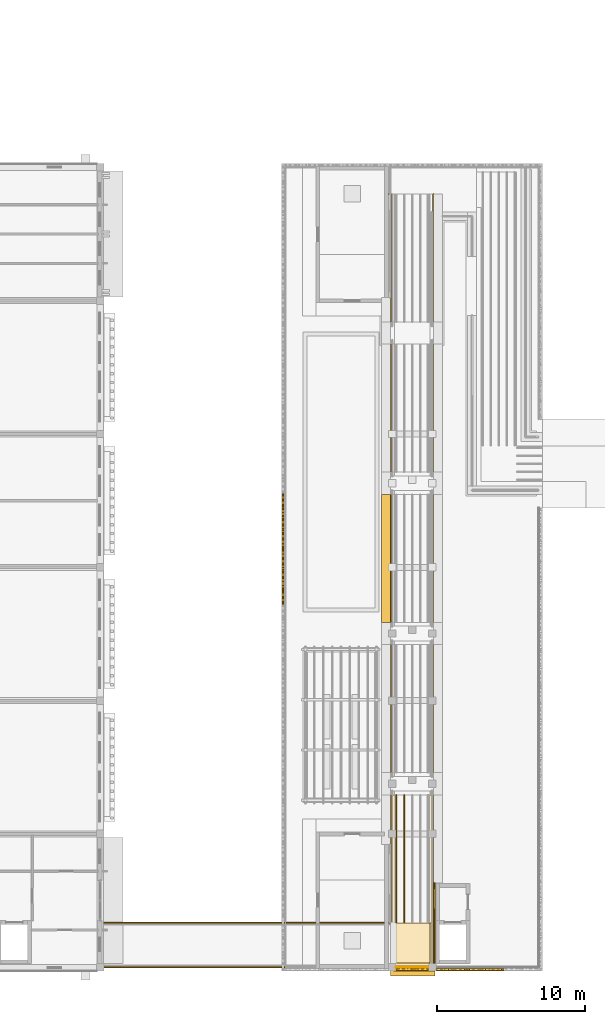
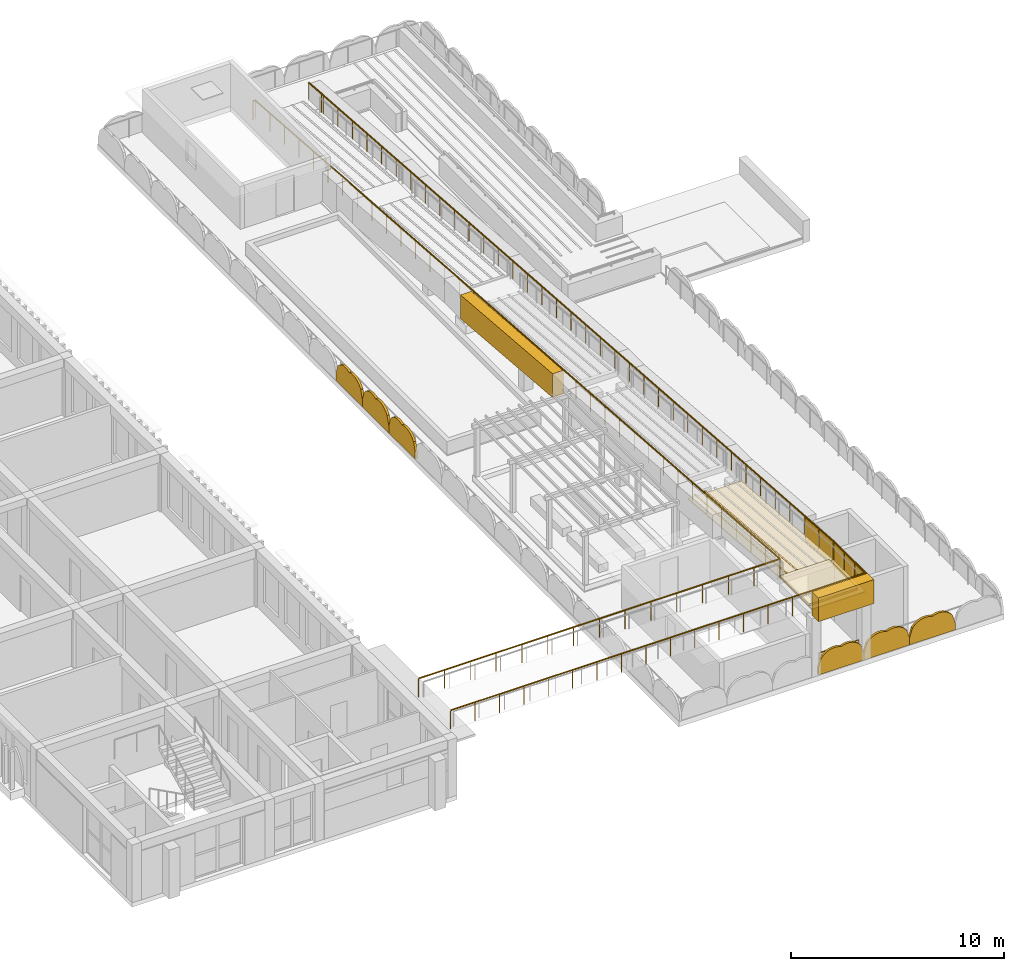
# One storey, part 64 of 70: 9 coverings, 6 shading devices, 3 railings.
"""IFC4 building model written with IfcOpenShell, lengths in metres."""

import ifcopenshell
import ifcopenshell.guid

model = None  # the IFC model being written
_history = None  # IfcOwnerHistory: only IFC2X3 demands one
_inside = {}  # id of a spatial element -> (the spatial element, [elements in it])
_under = {}  # id of a project, library or spatial element -> (it, [spatial elements below it])
_declared = {}  # id of a project -> (the project, [libraries it declares])
_typed = {}  # id of a type object -> (the type object, [elements of that type])
_made_of = {}  # id of a material, layer set ... -> (it, [elements and type objects made of it])


def new_model(schema):
    """Start an empty IFC model of exactly this schema.

    Asked for "IFC4X3", IfcOpenShell would pick the latest addendum, in which some entities
    have other attributes; the version numbers below select the first issue.
    IFC2X3 requires an IfcOwnerHistory on every rooted entity: one is made here for all.
    """
    global model, _history
    if schema == "IFC4X3":
        model = ifcopenshell.file(schema_version=(4, 3, 0, 0))
    else:
        model = ifcopenshell.file(schema=schema)
    _inside.clear()
    _under.clear()
    _declared.clear()
    _typed.clear()
    _made_of.clear()
    _history = None
    if model.schema == "IFC2X3":
        org = make("IfcOrganization", Name="unknown")
        user = make(
            "IfcPersonAndOrganization",
            ThePerson=make("IfcPerson", FamilyName="unknown"),
            TheOrganization=org,
        )
        app = make(
            "IfcApplication",
            ApplicationDeveloper=org,
            Version="unknown",
            ApplicationFullName="unknown",
            ApplicationIdentifier="unknown",
        )
        _history = make(
            "IfcOwnerHistory",
            OwningUser=user,
            OwningApplication=app,
            ChangeAction="ADDED",
            CreationDate=0,
        )
    return model


def make(cls, **values):
    """One entity of the class cls with the attributes given. An attribute that is None is left unset."""
    return model.create_entity(
        cls, **{name: value for name, value in values.items() if value is not None}
    )


def rooted(cls, **values):
    """An entity with a GlobalId (a new one), such as an element, a storey or a relation."""
    return make(cls, GlobalId=ifcopenshell.guid.new(), OwnerHistory=_history, **values)


def si_unit(unit_type, name, prefix=None):
    """IfcSIUnit, for example si_unit("LENGTHUNIT", "METRE", prefix="MILLI")."""
    return make("IfcSIUnit", UnitType=unit_type, Prefix=prefix, Name=name)


def assignment(units):
    """IfcUnitAssignment: the units of a project."""
    return None if units is None else make("IfcUnitAssignment", Units=units)


def point(xyz):
    """IfcCartesianPoint."""
    return None if xyz is None else make("IfcCartesianPoint", Coordinates=xyz)


def direction(xyz):
    """IfcDirection."""
    return None if xyz is None else make("IfcDirection", DirectionRatios=xyz)


def frame(location, z_axis=None, x_axis=None):
    """IfcAxis2Placement3D, a coordinate frame: its origin and axes. An axis left out is left unset."""
    return make(
        "IfcAxis2Placement3D",
        Location=point(location),
        Axis=direction(z_axis),
        RefDirection=direction(x_axis),
    )


def frame_2d(location, x_axis=None):
    """IfcAxis2Placement2D, a coordinate frame in the plane: its origin and x axis."""
    return make(
        "IfcAxis2Placement2D", Location=point(location), RefDirection=direction(x_axis)
    )


def origin():
    """The frame at (0, 0, 0) with its axes left unset."""
    return frame((0.0, 0.0, 0.0))


def origin_2d():
    """The frame at (0, 0) in the plane with its x axis left unset."""
    return frame_2d((0.0, 0.0))


def place(relative_to, where):
    """IfcLocalPlacement: puts the frame where relative to a parent placement (None: the world)."""
    return make(
        "IfcLocalPlacement", PlacementRelTo=relative_to, RelativePlacement=where
    )


def context(
    kind, dimensions, precision=None, world=None, true_north=None, identifier=None
):
    """IfcGeometricRepresentationContext, for example the 3D "Model" context."""
    return make(
        "IfcGeometricRepresentationContext",
        ContextIdentifier=identifier,
        ContextType=kind,
        CoordinateSpaceDimension=dimensions,
        Precision=precision,
        WorldCoordinateSystem=world,
        TrueNorth=true_north,
    )


def subcontext(parent, identifier, kind, view, scale=None):
    """IfcGeometricRepresentationSubContext, for example "Body" below "Model"."""
    return make(
        "IfcGeometricRepresentationSubContext",
        ContextIdentifier=identifier,
        ContextType=kind,
        ParentContext=parent,
        TargetScale=scale,
        TargetView=view,
    )


def project(units=None, contexts=None):
    """IfcProject with its units and contexts."""
    return rooted(
        "IfcProject",
        Name="project",
        RepresentationContexts=contexts,
        UnitsInContext=assignment(units),
    )


def spatial(cls, under=None, at=None, **own):
    """A site, building, storey or space (cls), placed at a placement, below another one or the project."""
    s = rooted(cls, ObjectPlacement=at, **own)
    if under is not None:
        _under.setdefault(under.id(), (under, []))[1].append(s)
    return s


def polyline(points):
    """IfcPolyline through the points."""
    return make("IfcPolyline", Points=[point(p) for p in points])


def profile(cls, at=None, kind="AREA", **sizes):
    """A parametric profile (cls). Its sizes go by their IFC names, for example OverallWidth=200.0."""
    return make(cls, ProfileType=kind, Position=at, **sizes)


def circle(**sizes):
    """IfcCircleProfileDef."""
    return profile("IfcCircleProfileDef", **sizes)


def outline(outer, holes=None, kind="AREA"):
    """IfcArbitraryClosedProfileDef: a profile drawn as a closed curve; with holes, ...WithVoids."""
    if holes is None:
        return make("IfcArbitraryClosedProfileDef", ProfileType=kind, OuterCurve=outer)
    return make(
        "IfcArbitraryProfileDefWithVoids",
        ProfileType=kind,
        OuterCurve=outer,
        InnerCurves=holes,
    )


def extrude(swept, where, along, depth):
    """IfcExtrudedAreaSolid: the profile swept, set in the frame where, extruded along a direction by depth."""
    return make(
        "IfcExtrudedAreaSolid",
        SweptArea=swept,
        Position=where,
        ExtrudedDirection=direction(along),
        Depth=depth,
    )


def shape(context_of_items, identifier, shape_type, items):
    """IfcShapeRepresentation: the items that make up one representation, for example the "Body"."""
    return make(
        "IfcShapeRepresentation",
        ContextOfItems=context_of_items,
        RepresentationIdentifier=identifier,
        RepresentationType=shape_type,
        Items=items,
    )


def material(Name=None, Category=None):
    """IfcMaterial."""
    return make("IfcMaterial", Name=Name, Category=Category)


def layer(
    of_material, thickness, ventilated=None, Name=None, Category=None, Priority=None
):
    """IfcMaterialLayer: one layer of a wall or slab, of a material (None: an air gap)."""
    return make(
        "IfcMaterialLayer",
        Material=of_material,
        LayerThickness=thickness,
        IsVentilated=ventilated,
        Name=Name,
        Category=Category,
        Priority=Priority,
    )


def layer_set(layers, Name=None):
    """IfcMaterialLayerSet."""
    return make("IfcMaterialLayerSet", MaterialLayers=layers, LayerSetName=Name)


def made_of(thing, what):
    """Note that an element or type object is made of a material, layer set ...; save() writes the relation."""
    if what is not None:
        _made_of.setdefault(what.id(), (what, []))[1].append(thing)
    return thing


def type_object(cls, material=None, **own):
    """A type object (cls), such as IfcWallType, which elements share."""
    return made_of(rooted(cls, **own), material)


def element(
    cls,
    number,
    at=None,
    inside=None,
    cuts=None,
    type_object=None,
    material=None,
    context=None,
    identifier="Body",
    shape_type=None,
    held_by="IfcProductDefinitionShape",
    body=None,
    shapes=None,
    **own,
):
    """One element of the class cls, such as IfcWall. Its Tag is "e" and its number.

    at: its placement. inside: the storey or other place that contains it. cuts: it is an
    opening in that element (IfcRelVoidsElement). A single representation is given by context,
    identifier, shape_type and body (its items); several are given by shapes. held_by: the class
    of the entity that holds the representations. save() writes the other relations.
    """
    e = rooted(cls, Tag="e%d" % number, ObjectPlacement=at, **own)
    if body is not None:
        shapes = [shape(context, identifier, shape_type, body)]
    if shapes is not None:
        e.Representation = make(held_by, Representations=shapes)
    if inside is not None:
        _inside.setdefault(inside.id(), (inside, []))[1].append(e)
    if cuts is not None:
        rooted(
            "IfcRelVoidsElement", RelatingBuildingElement=cuts, RelatedOpeningElement=e
        )
    if type_object is not None:
        _typed.setdefault(type_object.id(), (type_object, []))[1].append(e)
    return made_of(e, material)


def aggregate(whole, parts):
    """IfcRelAggregates: a whole, such as a stair, and the parts it consists of."""
    return rooted("IfcRelAggregates", RelatingObject=whole, RelatedObjects=parts)


def save(model, path):
    """Write the relations noted so far, then the file.

    IfcRelAggregates (storeys below a building ...), IfcRelContainedInSpatialStructure (elements
    in a storey), IfcRelDefinesByType, IfcRelAssociatesMaterial and IfcRelDeclares: one each for
    every whole, place, type object, material and project.
    """
    for whole, parts in _under.values():
        aggregate(whole, parts)
    for where, things in _inside.values():
        rooted(
            "IfcRelContainedInSpatialStructure",
            RelatedElements=things,
            RelatingStructure=where,
        )
    for kind, things in _typed.values():
        rooted("IfcRelDefinesByType", RelatedObjects=things, RelatingType=kind)
    for what, things in _made_of.values():
        rooted("IfcRelAssociatesMaterial", RelatedObjects=things, RelatingMaterial=what)
    for by, libraries in _declared.values():
        rooted("IfcRelDeclares", RelatingContext=by, RelatedDefinitions=libraries)
    model.write(path)


model = new_model("IFC4")

# Units and contexts
model_context = context("Model", 3, precision=1e-05, world=origin(), true_north=direction((0.0, 1.0)))
body_context = subcontext(model_context, "Body", "Model", "MODEL_VIEW")
ifc_project = project(units=[si_unit("LENGTHUNIT", "METRE"), si_unit("AREAUNIT", "SQUARE_METRE"), si_unit("VOLUMEUNIT", "CUBIC_METRE"), si_unit("PLANEANGLEUNIT", "RADIAN"), si_unit("MASSUNIT", "GRAM", prefix="KILO")], contexts=[model_context])

# Site, building, storey
site_placement = place(None, origin())
site = spatial("IfcSite", under=ifc_project, at=site_placement, CompositionType="ELEMENT")
building_placement = place(site_placement, origin())
building = spatial("IfcBuilding", under=site, at=building_placement, Name="Elbe Cascade School", CompositionType="ELEMENT")
storey_placement = place(building_placement, frame((0.0, 0.0, 8.10009765625)))
storey = spatial("IfcBuildingStorey", under=building, at=storey_placement, Name="L02", CompositionType="ELEMENT", Elevation=8.10009765625)

# Shading devices
ifc_material_1 = material(Name="Precast concrete C40/50", Category="concrete")
ifc_layer_1 = layer(ifc_material_1, 0.1201171875)
ifc_layer_set_1 = layer_set([ifc_layer_1], Name="Precast concrete C40/50")
shading_device_type = type_object("IfcShadingDeviceType", Name="Bars envelope Attic jali screen, pointed arch top, pierced precast concrete, 1200 high", PredefinedType="USERDEFINED", material=ifc_layer_set_1)
shading_device_1_placement = place(storey_placement, frame((157.580078125, 30.522705078125, 0.39990234375), z_axis=(-1.0, 0.0, 0.0), x_axis=(0.0, 0.296914729778, 0.954903996871)))
element("IfcShadingDevice", 1, at=shading_device_1_placement, inside=storey, type_object=shading_device_type, Name="Attic jali screen SD1 D.L02.w11", ObjectType="JALI", PredefinedType="USERDEFINED", context=body_context, shape_type="SweptSolid", body=[
    extrude(outline(polyline([(0.0, 0.0), (0.5213118135497831, 2.7755575615628914e-17), (0.7310001580840946, 0.09715085393298623), (0.8774375509870718, 0.2137130818339548), (0.9849420905019789, 0.3423809640007578), (1.0621396183974305, 0.48047240936850977), (1.1125270975525943, 0.6269000837217165), (1.1363376588260814, 0.7815914981126785), (1.1317787442967022, 0.9453596949816039), (1.2283261334568831, 1.0774345576902884), (1.296431557866498, 1.218353072018325), (1.3379600643944363, 1.3675353263841168), (1.3526785221820867, 1.5250538097353636), (1.3370899683502817, 1.6919958562875592), (1.2825685611304065, 1.8710435571055892), (1.1649411801745964, 2.069968893608824), (0.7355453523079154, 2.365578822327823), (0.3536770059027736, 2.4843157186597797), (-0.3818683464051418, 0.11873689633195678), (0.0, 0.0)])), origin(), (0.0, 0.0, -1.0), 0.1201171875),
])
shading_device_2_placement = place(storey_placement, frame((157.580078125, 33.0, 0.39990234375), z_axis=(-1.0, 0.0, 0.0), x_axis=(0.0, 0.296914729778, 0.954903996871)))
element("IfcShadingDevice", 2, at=shading_device_2_placement, inside=storey, type_object=shading_device_type, Name="Attic jali screen SD1 D.L02.w12", ObjectType="JALI", PredefinedType="USERDEFINED", context=body_context, shape_type="SweptSolid", body=[
    extrude(outline(polyline([(0.0, 0.0), (0.5213118135497831, 2.7755575615628914e-17), (0.7310001580840946, 0.09715085393298623), (0.8774375509870718, 0.2137130818339548), (0.9849420905019789, 0.3423809640007578), (1.0621396183974305, 0.48047240936850977), (1.1125270975525943, 0.6269000837217165), (1.1363376588260814, 0.7815914981126785), (1.1317062553490027, 0.9451265641229927), (1.2283261334568831, 1.0774345576902884), (1.296431557866498, 1.218353072018325), (1.3379600643944363, 1.3675353263841168), (1.3526785221820867, 1.5250538097353636), (1.3370899683502817, 1.6919958562875592), (1.2825685611304065, 1.8710435571055892), (1.1649411801745964, 2.069968893608824), (0.7355453523079154, 2.365578822327823), (0.3536770059027736, 2.4843157186597797), (-0.3818683464051418, 0.11873689633195678), (0.0, 0.0)])), origin(), (0.0, 0.0, -1.0), 0.1201171875),
])
shading_device_3_placement = place(storey_placement, frame((157.580078125, 35.477294921875, 0.39990234375), z_axis=(-1.0, 0.0, 0.0), x_axis=(0.0, 0.296914729778, 0.954903996871)))
element("IfcShadingDevice", 3, at=shading_device_3_placement, inside=storey, type_object=shading_device_type, Name="Attic jali screen SD1 D.L02.w13", ObjectType="JALI", PredefinedType="USERDEFINED", context=body_context, shape_type="SweptSolid", body=[
    extrude(outline(polyline([(0.0, 0.0), (0.5213118135497831, 2.7755575615628914e-17), (0.730927669136395, 0.09691772307437502), (0.8774375509870718, 0.2137130818339548), (0.9849420905019789, 0.3423809640007578), (1.0621396183974305, 0.48047240936850977), (1.1125270975525943, 0.6269000837217165), (1.1363376588260814, 0.7815914981126785), (1.1317062553490027, 0.9451265641229927), (1.2282536445091836, 1.0772014268316772), (1.296431557866498, 1.218353072018325), (1.3379600643944363, 1.3675353263841168), (1.3526785221820867, 1.5250538097353636), (1.3370899683502817, 1.6919958562875592), (1.282641050078106, 1.8712766879642004), (1.1649411801745964, 2.069968893608824), (0.7355453523079154, 2.365578822327823), (0.3536770059027736, 2.4843157186597797), (-0.3818683464051418, 0.11873689633195678), (0.0, 0.0)])), origin(), (0.0, 0.0, -1.0), 0.1201171875),
])
shading_device_4_placement = place(storey_placement, frame((165.1142578125, 5.780029296875, 0.0), z_axis=(0.0, -1.0, 0.0), x_axis=(1.0, 0.0, 0.0)))
element("IfcShadingDevice", 4, at=shading_device_4_placement, inside=storey, type_object=shading_device_type, Name="Attic jali screen SD1 D.L02.s4", ObjectType="JALI", PredefinedType="USERDEFINED", context=body_context, shape_type="SweptSolid", body=[
    extrude(outline(polyline([(0.0, 0.0), (2.471435546875, 0.0), (2.471435546875, 0.39990234375), (2.317138671875, 0.89697265625), (2.16259765625, 1.068115234375), (2.008056640625, 1.173095703125), (1.853759765625, 1.237548828125), (1.69921875, 1.2705078125), (1.544677734375, 1.275390625), (1.39013671875, 1.252685546875), (1.23583984375, 1.199951171875), (1.081298828125, 1.252685546875), (0.9267578125, 1.275390625), (0.7724609375, 1.2705078125), (0.617919921875, 1.237548828125), (0.46337890625, 1.173095703125), (0.308837890625, 1.068115234375), (0.154541015625, 0.89697265625), (0.0, 0.39990234375), (0.0, 0.0)])), origin(), (0.0, 0.0, -1.0), 0.1201171875),
])
shading_device_5_placement = place(storey_placement, frame((167.585693359375, 5.780029296875, 0.0), z_axis=(0.0, -1.0, 0.0), x_axis=(1.0, 0.0, 0.0)))
element("IfcShadingDevice", 5, at=shading_device_5_placement, inside=storey, type_object=shading_device_type, Name="Attic jali screen SD1 D.L02.s5", ObjectType="JALI", PredefinedType="USERDEFINED", context=body_context, shape_type="SweptSolid", body=[
    extrude(outline(polyline([(0.0, 0.0), (2.471435546875, 0.0), (2.471435546875, 0.39990234375), (2.31689453125, 0.89697265625), (2.16259765625, 1.068115234375), (2.008056640625, 1.173095703125), (1.853515625, 1.237548828125), (1.69921875, 1.2705078125), (1.544677734375, 1.275390625), (1.39013671875, 1.252685546875), (1.235595703125, 1.199951171875), (1.081298828125, 1.252685546875), (0.9267578125, 1.275390625), (0.772216796875, 1.2705078125), (0.617919921875, 1.237548828125), (0.46337890625, 1.173095703125), (0.308837890625, 1.068115234375), (0.154541015625, 0.89697265625), (0.0, 0.39990234375), (0.0, 0.0)])), origin(), (0.0, 0.0, -1.0), 0.1201171875),
])
shading_device_6_placement = place(storey_placement, frame((170.05712890625, 5.780029296875, 0.0), z_axis=(0.0, -1.0, 0.0), x_axis=(1.0, 0.0, 0.0)))
element("IfcShadingDevice", 6, at=shading_device_6_placement, inside=storey, type_object=shading_device_type, Name="Attic jali screen SD1 D.L02.s6", ObjectType="JALI", PredefinedType="USERDEFINED", context=body_context, shape_type="SweptSolid", body=[
    extrude(outline(polyline([(0.0, 0.0), (2.471435546875, 0.0), (2.471435546875, 0.39990234375), (2.31689453125, 0.89697265625), (2.162353515625, 1.068115234375), (2.008056640625, 1.173095703125), (1.853515625, 1.237548828125), (1.698974609375, 1.2705078125), (1.544677734375, 1.275390625), (1.39013671875, 1.252685546875), (1.23583984375, 1.199951171875), (1.081298828125, 1.252685546875), (0.9267578125, 1.275390625), (0.7724609375, 1.2705078125), (0.617919921875, 1.237548828125), (0.46337890625, 1.173095703125), (0.30908203125, 1.068115234375), (0.154541015625, 0.89697265625), (0.0, 0.39990234375), (0.0, 0.0)])), origin(), (0.0, 0.0, -1.0), 0.1201171875),
])

# Railing
ifc_material_2 = material(Name="Steel S355J2H, hot-dip galvanised", Category="steel")
railing_type_1 = type_object("IfcRailingType", Name="Bars envelope Roof edge guard 1100, galvanised steel", PredefinedType="GUARDRAIL", material=ifc_material_2)
railing_1_placement = place(storey_placement, frame((165.27099609375, 6.0, 0.0)))
element("IfcRailing", 7, at=railing_1_placement, inside=storey, type_object=railing_type_1, Name="Roof edge guard RL10 D.L02.1", PredefinedType="GUARDRAIL", context=body_context, shape_type="SweptSolid", body=[
    extrude(circle(Radius=0.02392578125, at=origin_2d()), frame((0.0, 0.0, 1.076171875), z_axis=(1.0, 0.0, 0.0), x_axis=(0.0, 1.0, 0.0)), (0.0, 0.0, 1.0), 2.157958984375),
    extrude(circle(Radius=0.02099609375, at=origin_2d()), origin(), (0.0, 0.0, 1.0), 1.052001953125),
    extrude(circle(Radius=0.02099609375, at=origin_2d()), frame((1.0791015625, 0.0, 0.0)), (0.0, 0.0, 1.0), 1.052001953125),
    extrude(circle(Radius=0.02099609375, at=origin_2d()), frame((2.157958984375, 0.0, 0.0)), (0.0, 0.0, 1.0), 1.052001953125),
])

# Coverings
ifc_material_3 = material(Name="Running track surfacing - white lines", Category="surfacing")
ifc_layer_2 = layer(ifc_material_3, 0.02001953125)
ifc_layer_set_2 = layer_set([ifc_layer_2], Name="Running track surfacing - white lines")
covering_type_1 = type_object("IfcCoveringType", Name="Lane marking 80", PredefinedType="FLOORING", material=ifc_layer_set_2)
for number, where, z_axis, x_axis, name in (
    (8, (165.22998046875, 9.0, 3.83984375), (0.0, 0.08304314939, 0.996545952447), (0.0, 0.996545952447, -0.08304314939), "Lane marking D ramp flight 1 line 1"),
    (9, (165.77001953125, 9.0, 3.83984375), (0.0, 0.08304314939, 0.996545952447), (0.0, 0.996545952447, -0.08304314939), "Lane marking D ramp flight 1 line 2"),
):
    element("IfcCovering", number, at=place(storey_placement, frame(where, z_axis=z_axis, x_axis=x_axis)), inside=storey, type_object=covering_type_1, Name=name, PredefinedType="FLOORING", context=body_context, shape_type="SweptSolid", body=[
        extrude(outline(polyline([(0.0, 0.0), (8.669838612967244, 0.0), (8.669838612967244, -0.08007812500000001), (0.0, -0.08007812500000001), (0.0, 0.0)])), origin(), (0.08304314939, 0.0, -0.996545952447), 0.02001953125),
    ])
ifc_material_4 = material(Name="Concrete C30/37 precast parapet", Category="concrete")
ifc_layer_3 = layer(ifc_material_4, 0.60009765625)
ifc_layer_set_3 = layer_set([ifc_layer_3], Name="Concrete C30/37 precast parapet")
covering_type_2 = type_object("IfcCoveringType", Name="Ramp and bridge parapet 600", PredefinedType="CLADDING", material=ifc_layer_set_3)
covering_1_placement = place(storey_placement, frame((164.300048828125, 29.280029296875, 3.27978515625), z_axis=(0.0, 0.08304314939, 0.996545952447), x_axis=(0.0, 0.996545952447, -0.08304314939)))
element("IfcCovering", 10, at=covering_1_placement, inside=storey, type_object=covering_type_2, Name="Ramp D flight 3 parapet w1", PredefinedType="CLADDING", context=body_context, shape_type="SweptSolid", body=[
    extrude(outline(polyline([(0.0, 0.0), (8.669838612967244, 0.0), (8.669838612967244, -0.599853515625), (0.0, -0.599853515625), (0.0, 0.0)])), origin(), (0.08304314939, 0.0, -0.996545952447), 1.360107421875),
])
covering_2_placement = place(storey_placement, frame((0.0, 0.0, 3.35986328125)))
element("IfcCovering", 11, at=covering_2_placement, inside=storey, type_object=covering_type_2, Name="Ramp D landing 1 parapet south", PredefinedType="CLADDING", context=body_context, shape_type="SweptSolid", body=[
    extrude(outline(polyline([(164.89990234375, 5.39990234375), (167.89990234375, 5.39990234375), (167.89990234375, 6.0), (164.89990234375, 6.0), (164.89990234375, 5.39990234375)])), origin(), (0.0, 0.0, 1.0), 1.360107421875),
])
ifc_material_5 = material(Name="Concrete C30/37 precast parapet", Category="concrete")
ifc_layer_4 = layer(ifc_material_5, 0.10009765625)
ifc_layer_set_4 = layer_set([ifc_layer_4], Name="Concrete C30/37 precast parapet")
covering_type_3 = type_object("IfcCoveringType", Name="Ramp parapet beside a wall 100", PredefinedType="CLADDING", material=ifc_layer_set_4)
covering_3_placement = place(storey_placement, frame((0.0, 0.0, 3.35986328125)))
element("IfcCovering", 12, at=covering_3_placement, inside=storey, type_object=covering_type_3, Name="Ramp D landing 1 parapet e1", PredefinedType="CLADDING", context=body_context, shape_type="SweptSolid", body=[
    extrude(outline(polyline([(167.800048828125, 6.0), (167.89990234375, 6.0), (167.89990234375, 9.0), (167.800048828125, 9.0), (167.800048828125, 6.0)])), origin(), (0.0, 0.0, 1.0), 1.360107421875),
])
covering_4_placement = place(storey_placement, frame((167.800048828125, 9.0, 4.719970703125), z_axis=(0.0, 0.083082767297, 0.996542650256), x_axis=(0.0, 0.996542650256, -0.083082767297)))
element("IfcCovering", 13, at=covering_4_placement, inside=storey, type_object=covering_type_3, Name="Ramp D flight 1 parapet e1", PredefinedType="CLADDING", context=body_context, shape_type="SweptSolid", body=[
    extrude(outline(polyline([(0.0, 0.0), (2.7093182325740974, 0.0), (2.7093182325740974, -0.099853515625), (0.0, -0.099853515625), (0.0, 0.0)])), origin(), (0.083082767297, 0.0, -0.996542650256), 1.360107421875),
])
ifc_material_6 = material(Name="Running track surfacing - red", Category="surfacing")
ifc_layer_5 = layer(ifc_material_6, 0.10009765625)
ifc_layer_set_5 = layer_set([ifc_layer_5], Name="Running track surfacing - red")
covering_type_4 = type_object("IfcCoveringType", Name="Running track band 100", PredefinedType="USERDEFINED", material=ifc_layer_set_5)
covering_5_placement = place(storey_placement, frame((0.0, 0.0, 3.719970703125)))
element("IfcCovering", 14, at=covering_5_placement, inside=storey, type_object=covering_type_4, Name="Running track band D ramp landing 1", ObjectType="RUNNING TRACK", PredefinedType="USERDEFINED", context=body_context, shape_type="SweptSolid", body=[
    extrude(outline(polyline([(167.550048828125, 6.300048828125), (165.14990234375, 6.300048828125), (164.89990234375, 6.300048828125), (164.89990234375, 9.0), (165.14990234375, 9.0), (167.550048828125, 9.0), (167.550048828125, 6.300048828125)])), origin(), (0.0, 0.0, 1.0), 0.099853515625),
])
ifc_material_7 = material(Name="Running track surfacing - red", Category="surfacing")
ifc_layer_6 = layer(ifc_material_7, 0.06005859375)
ifc_layer_set_6 = layer_set([ifc_layer_6], Name="Running track surfacing - red")
covering_type_5 = type_object("IfcCoveringType", Name="Running track surfacing 60", PredefinedType="USERDEFINED", material=ifc_layer_set_6)
covering_6_placement = place(storey_placement, frame((0.0, 0.0, 3.659912109375)))
element("IfcCovering", 15, at=covering_6_placement, inside=storey, type_object=covering_type_5, Name="Running track D ramp landing 1", ObjectType="RUNNING TRACK", PredefinedType="USERDEFINED", context=body_context, shape_type="SweptSolid", body=[
    extrude(outline(polyline([(167.800048828125, 6.0), (167.800048828125, 9.0), (164.89990234375, 9.0), (164.89990234375, 6.0), (167.800048828125, 6.0)])), origin(), (0.0, 0.0, 1.0), 0.06005859375),
])
covering_7_placement = place(storey_placement, frame((164.89990234375, 9.0, 3.719970703125), z_axis=(0.0, 0.08304314939, 0.996545952447), x_axis=(0.0, 0.996545952447, -0.08304314939)))
element("IfcCovering", 16, at=covering_7_placement, inside=storey, type_object=covering_type_5, Name="Running track D ramp flight 1", ObjectType="RUNNING TRACK", PredefinedType="USERDEFINED", context=body_context, shape_type="SweptSolid", body=[
    extrude(outline(polyline([(0.0, 0.0), (8.669838612967244, 0.0), (8.669838612967244, -2.900146484375), (0.0, -2.900146484375), (0.0, 0.0)])), origin(), (0.08304314939, 0.0, -0.996545952447), 0.06005859375),
])

# Railings
ifc_material_8 = material(Name="Steel S355J2H", Category="steel")
railing_type_2 = type_object("IfcRailingType", Name="Track guard 1100", PredefinedType="GUARDRAIL", material=ifc_material_8)
railing_2_placement = place(storey_placement, frame((145.342041015625, 6.0, 3.719970703125)))
element("IfcRailing", 17, at=railing_2_placement, inside=storey, type_object=railing_type_2, Name="Track guard RL4 C-D south and east", PredefinedType="GUARDRAIL", context=body_context, shape_type="SweptSolid", body=[
    extrude(circle(Radius=0.0400390625, at=origin_2d()), frame((0.0, 0.0, 1.06005859375), z_axis=(1.0, 0.0, 0.0), x_axis=(0.0, 1.0, 0.0)), (0.0, 0.0, 1.0), 22.4580078125),
    extrude(circle(Radius=0.0400390625, at=origin_2d()), frame((22.4580078125, 0.0, 1.06005859375), z_axis=(0.0, 1.0, 0.0), x_axis=(-1.0, 0.0, 0.0)), (0.0, 0.0, 1.0), 3.0),
    extrude(circle(Radius=0.0400390625, at=origin_2d()), frame((22.4580078125, 3.0, 1.06005859375), z_axis=(0.0, 0.997333574242, -0.0729776794), x_axis=(-1.0, 0.0, 0.0)), (0.0, 0.0, 1.0), 49.33154296875),
    extrude(circle(Radius=0.0400390625, at=origin_2d()), frame((22.4580078125, 52.199951171875, -2.5400390625), z_axis=(0.0, -0.996538763176, 0.083129378007), x_axis=(1.0, 0.0, 0.0)), (0.0, 0.0, 1.0), 1.2041015625),
    extrude(circle(Radius=0.02099609375, at=origin_2d()), origin(), (0.0, 0.0, 1.0), 1.02001953125),
    extrude(circle(Radius=0.02099609375, at=origin_2d()), frame((1.321044921875, 0.0, 0.0)), (0.0, 0.0, 1.0), 1.02001953125),
    extrude(circle(Radius=0.02099609375, at=origin_2d()), frame((2.64208984375, 0.0, 0.0)), (0.0, 0.0, 1.0), 1.02001953125),
    extrude(circle(Radius=0.02099609375, at=origin_2d()), frame((3.963134765625, 0.0, 0.0)), (0.0, 0.0, 1.0), 1.02001953125),
    extrude(circle(Radius=0.02099609375, at=origin_2d()), frame((5.2841796875, 0.0, 0.0)), (0.0, 0.0, 1.0), 1.02001953125),
    extrude(circle(Radius=0.02099609375, at=origin_2d()), frame((6.605224609375, 0.0, 0.0)), (0.0, 0.0, 1.0), 1.02001953125),
    extrude(circle(Radius=0.02099609375, at=origin_2d()), frame((7.92626953125, 0.0, 0.0)), (0.0, 0.0, 1.0), 1.02001953125),
    extrude(circle(Radius=0.02099609375, at=origin_2d()), frame((9.247314453125, 0.0, 0.0)), (0.0, 0.0, 1.0), 1.02001953125),
    extrude(circle(Radius=0.02099609375, at=origin_2d()), frame((10.568359375, 0.0, 0.0)), (0.0, 0.0, 1.0), 1.02001953125),
    extrude(circle(Radius=0.02099609375, at=origin_2d()), frame((11.8896484375, 0.0, 0.0)), (0.0, 0.0, 1.0), 1.02001953125),
    extrude(circle(Radius=0.02099609375, at=origin_2d()), frame((13.210693359375, 0.0, 0.0)), (0.0, 0.0, 1.0), 1.02001953125),
    extrude(circle(Radius=0.02099609375, at=origin_2d()), frame((14.53173828125, 0.0, 0.0)), (0.0, 0.0, 1.0), 1.02001953125),
    extrude(circle(Radius=0.02099609375, at=origin_2d()), frame((15.852783203125, 0.0, 0.0)), (0.0, 0.0, 1.0), 1.02001953125),
    extrude(circle(Radius=0.02099609375, at=origin_2d()), frame((17.173828125, 0.0, 0.0)), (0.0, 0.0, 1.0), 1.02001953125),
    extrude(circle(Radius=0.02099609375, at=origin_2d()), frame((18.494873046875, 0.0, 0.0)), (0.0, 0.0, 1.0), 1.02001953125),
    extrude(circle(Radius=0.02099609375, at=origin_2d()), frame((19.81591796875, 0.0, 0.0)), (0.0, 0.0, 1.0), 1.02001953125),
    extrude(circle(Radius=0.02099609375, at=origin_2d()), frame((21.136962890625, 0.0, 0.0)), (0.0, 0.0, 1.0), 1.02001953125),
    extrude(circle(Radius=0.02099609375, at=origin_2d()), frame((22.4580078125, 0.0, 0.0)), (0.0, 0.0, 1.0), 1.02001953125),
    extrude(circle(Radius=0.02099609375, at=origin_2d()), frame((22.4580078125, 1.0, 0.0)), (0.0, 0.0, 1.0), 1.02001953125),
    extrude(circle(Radius=0.02099609375, at=origin_2d()), frame((22.4580078125, 2.0, 0.0)), (0.0, 0.0, 1.0), 1.02001953125),
    extrude(circle(Radius=0.02099609375, at=origin_2d()), frame((22.4580078125, 3.0, 0.0)), (0.0, 0.0, 1.0), 1.02001953125),
    extrude(circle(Radius=0.02099609375, at=origin_2d()), frame((22.4580078125, 4.36669921875, -0.10009765625)), (0.0, 0.0, 1.0), 1.02001953125),
    extrude(circle(Radius=0.02099609375, at=origin_2d()), frame((22.4580078125, 5.7333984375, -0.199951171875)), (0.0, 0.0, 1.0), 1.02001953125),
    extrude(circle(Radius=0.02099609375, at=origin_2d()), frame((22.4580078125, 7.10009765625, -0.300048828125)), (0.0, 0.0, 1.0), 1.02001953125),
    extrude(circle(Radius=0.02099609375, at=origin_2d()), frame((22.4580078125, 8.466552734375, -0.39990234375)), (0.0, 0.0, 1.0), 1.02001953125),
    extrude(circle(Radius=0.02099609375, at=origin_2d()), frame((22.4580078125, 9.833251953125, -0.5)), (0.0, 0.0, 1.0), 1.02001953125),
    extrude(circle(Radius=0.02099609375, at=origin_2d()), frame((22.4580078125, 11.199951171875, -0.60009765625)), (0.0, 0.0, 1.0), 1.02001953125),
    extrude(circle(Radius=0.02099609375, at=origin_2d()), frame((22.4580078125, 12.566650390625, -0.699951171875)), (0.0, 0.0, 1.0), 1.02001953125),
    extrude(circle(Radius=0.02099609375, at=origin_2d()), frame((22.4580078125, 13.933349609375, -0.800048828125)), (0.0, 0.0, 1.0), 1.02001953125),
    extrude(circle(Radius=0.02099609375, at=origin_2d()), frame((22.4580078125, 15.300048828125, -0.89990234375)), (0.0, 0.0, 1.0), 1.02001953125),
    extrude(circle(Radius=0.02099609375, at=origin_2d()), frame((22.4580078125, 16.666748046875, -1.0)), (0.0, 0.0, 1.0), 1.02001953125),
    extrude(circle(Radius=0.02099609375, at=origin_2d()), frame((22.4580078125, 18.033203125, -1.10009765625)), (0.0, 0.0, 1.0), 1.02001953125),
    extrude(circle(Radius=0.02099609375, at=origin_2d()), frame((22.4580078125, 19.39990234375, -1.199951171875)), (0.0, 0.0, 1.0), 1.02001953125),
    extrude(circle(Radius=0.02099609375, at=origin_2d()), frame((22.4580078125, 20.7666015625, -1.300048828125)), (0.0, 0.0, 1.0), 1.02001953125),
    extrude(circle(Radius=0.02099609375, at=origin_2d()), frame((22.4580078125, 22.13330078125, -1.400146484375)), (0.0, 0.0, 1.0), 1.02001953125),
    extrude(circle(Radius=0.02099609375, at=origin_2d()), frame((22.4580078125, 23.5, -1.5)), (0.0, 0.0, 1.0), 1.02001953125),
    extrude(circle(Radius=0.02099609375, at=origin_2d()), frame((22.4580078125, 24.86669921875, -1.60009765625)), (0.0, 0.0, 1.0), 1.02001953125),
    extrude(circle(Radius=0.02099609375, at=origin_2d()), frame((22.4580078125, 26.2333984375, -1.699951171875)), (0.0, 0.0, 1.0), 1.02001953125),
    extrude(circle(Radius=0.02099609375, at=origin_2d()), frame((22.4580078125, 27.60009765625, -1.800048828125)), (0.0, 0.0, 1.0), 1.02001953125),
    extrude(circle(Radius=0.02099609375, at=origin_2d()), frame((22.4580078125, 28.966552734375, -1.900146484375)), (0.0, 0.0, 1.0), 1.02001953125),
    extrude(circle(Radius=0.02099609375, at=origin_2d()), frame((22.4580078125, 30.333251953125, -2.0)), (0.0, 0.0, 1.0), 1.02001953125),
    extrude(circle(Radius=0.02099609375, at=origin_2d()), frame((22.4580078125, 31.699951171875, -2.10009765625)), (0.0, 0.0, 1.0), 1.02001953125),
    extrude(circle(Radius=0.02099609375, at=origin_2d()), frame((22.4580078125, 33.066650390625, -2.199951171875)), (0.0, 0.0, 1.0), 1.02001953125),
    extrude(circle(Radius=0.02099609375, at=origin_2d()), frame((22.4580078125, 34.433349609375, -2.300048828125)), (0.0, 0.0, 1.0), 1.02001953125),
    extrude(circle(Radius=0.02099609375, at=origin_2d()), frame((22.4580078125, 35.800048828125, -2.400146484375)), (0.0, 0.0, 1.0), 1.02001953125),
    extrude(circle(Radius=0.02099609375, at=origin_2d()), frame((22.4580078125, 37.166748046875, -2.5)), (0.0, 0.0, 1.0), 1.02001953125),
    extrude(circle(Radius=0.02099609375, at=origin_2d()), frame((22.4580078125, 38.533203125, -2.60009765625)), (0.0, 0.0, 1.0), 1.02001953125),
    extrude(circle(Radius=0.02099609375, at=origin_2d()), frame((22.4580078125, 39.89990234375, -2.7001953125)), (0.0, 0.0, 1.0), 1.02001953125),
    extrude(circle(Radius=0.02099609375, at=origin_2d()), frame((22.4580078125, 41.2666015625, -2.800048828125)), (0.0, 0.0, 1.0), 1.02001953125),
    extrude(circle(Radius=0.02099609375, at=origin_2d()), frame((22.4580078125, 42.63330078125, -2.900146484375)), (0.0, 0.0, 1.0), 1.02001953125),
    extrude(circle(Radius=0.02099609375, at=origin_2d()), frame((22.4580078125, 44.0, -3.0)), (0.0, 0.0, 1.0), 1.02001953125),
    extrude(circle(Radius=0.02099609375, at=origin_2d()), frame((22.4580078125, 45.36669921875, -3.10009765625)), (0.0, 0.0, 1.0), 1.02001953125),
    extrude(circle(Radius=0.02099609375, at=origin_2d()), frame((22.4580078125, 46.7333984375, -3.2001953125)), (0.0, 0.0, 1.0), 1.02001953125),
    extrude(circle(Radius=0.02099609375, at=origin_2d()), frame((22.4580078125, 48.099853515625, -3.300048828125)), (0.0, 0.0, 1.0), 1.02001953125),
    extrude(circle(Radius=0.02099609375, at=origin_2d()), frame((22.4580078125, 49.466552734375, -3.400146484375)), (0.0, 0.0, 1.0), 1.02001953125),
    extrude(circle(Radius=0.02099609375, at=origin_2d()), frame((22.4580078125, 50.833251953125, -3.5)), (0.0, 0.0, 1.0), 1.02001953125),
    extrude(circle(Radius=0.02099609375, at=origin_2d()), frame((22.4580078125, 52.199951171875, -3.60009765625)), (0.0, 0.0, 1.0), 1.02001953125),
    extrude(circle(Radius=0.02099609375, at=origin_2d()), frame((22.4580078125, 51.0, -3.5)), (0.0, 0.0, 1.0), 1.02001953125),
])
railing_3_placement = place(storey_placement, frame((145.342041015625, 9.0, 3.719970703125)))
element("IfcRailing", 18, at=railing_3_placement, inside=storey, type_object=railing_type_2, Name="Track guard RL4 C-D north and west", PredefinedType="GUARDRAIL", context=body_context, shape_type="SweptSolid", body=[
    extrude(circle(Radius=0.0400390625, at=origin_2d()), frame((0.0, 0.0, 1.06005859375), z_axis=(1.0, 0.0, 0.0), x_axis=(0.0, 1.0, 0.0)), (0.0, 0.0, 1.0), 19.557861328125),
    extrude(circle(Radius=0.0400390625, at=origin_2d()), frame((19.557861328125, 0.0, 1.06005859375), z_axis=(0.0, 0.997333574242, -0.0729776794), x_axis=(-1.0, 0.0, 0.0)), (0.0, 0.0, 1.0), 49.33154296875),
    extrude(circle(Radius=0.0400390625, at=origin_2d()), frame((19.557861328125, 49.199951171875, -2.5400390625), z_axis=(-1.0, 0.0, 0.0), x_axis=(0.0, -1.0, 0.0)), (0.0, 0.0, 1.0), 0.12890625),
    extrude(circle(Radius=0.02099609375, at=origin_2d()), origin(), (0.0, 0.0, 1.0), 1.02001953125),
    extrude(circle(Radius=0.02099609375, at=origin_2d()), frame((1.39697265625, 0.0, 0.0)), (0.0, 0.0, 1.0), 1.02001953125),
    extrude(circle(Radius=0.02099609375, at=origin_2d()), frame((2.7939453125, 0.0, 0.0)), (0.0, 0.0, 1.0), 1.02001953125),
    extrude(circle(Radius=0.02099609375, at=origin_2d()), frame((4.19091796875, 0.0, 0.0)), (0.0, 0.0, 1.0), 1.02001953125),
    extrude(circle(Radius=0.02099609375, at=origin_2d()), frame((5.587890625, 0.0, 0.0)), (0.0, 0.0, 1.0), 1.02001953125),
    extrude(circle(Radius=0.02099609375, at=origin_2d()), frame((6.98486328125, 0.0, 0.0)), (0.0, 0.0, 1.0), 1.02001953125),
    extrude(circle(Radius=0.02099609375, at=origin_2d()), frame((8.3818359375, 0.0, 0.0)), (0.0, 0.0, 1.0), 1.02001953125),
    extrude(circle(Radius=0.02099609375, at=origin_2d()), frame((9.77880859375, 0.0, 0.0)), (0.0, 0.0, 1.0), 1.02001953125),
    extrude(circle(Radius=0.02099609375, at=origin_2d()), frame((11.176025390625, 0.0, 0.0)), (0.0, 0.0, 1.0), 1.02001953125),
    extrude(circle(Radius=0.02099609375, at=origin_2d()), frame((12.572998046875, 0.0, 0.0)), (0.0, 0.0, 1.0), 1.02001953125),
    extrude(circle(Radius=0.02099609375, at=origin_2d()), frame((13.969970703125, 0.0, 0.0)), (0.0, 0.0, 1.0), 1.02001953125),
    extrude(circle(Radius=0.02099609375, at=origin_2d()), frame((15.366943359375, 0.0, 0.0)), (0.0, 0.0, 1.0), 1.02001953125),
    extrude(circle(Radius=0.02099609375, at=origin_2d()), frame((16.763916015625, 0.0, 0.0)), (0.0, 0.0, 1.0), 1.02001953125),
    extrude(circle(Radius=0.02099609375, at=origin_2d()), frame((18.160888671875, 0.0, 0.0)), (0.0, 0.0, 1.0), 1.02001953125),
    extrude(circle(Radius=0.02099609375, at=origin_2d()), frame((19.557861328125, 0.0, 0.0)), (0.0, 0.0, 1.0), 1.02001953125),
    extrude(circle(Radius=0.02099609375, at=origin_2d()), frame((19.557861328125, 1.36669921875, -0.10009765625)), (0.0, 0.0, 1.0), 1.02001953125),
    extrude(circle(Radius=0.02099609375, at=origin_2d()), frame((19.557861328125, 2.7333984375, -0.199951171875)), (0.0, 0.0, 1.0), 1.02001953125),
    extrude(circle(Radius=0.02099609375, at=origin_2d()), frame((19.557861328125, 4.10009765625, -0.300048828125)), (0.0, 0.0, 1.0), 1.02001953125),
    extrude(circle(Radius=0.02099609375, at=origin_2d()), frame((19.557861328125, 5.466552734375, -0.39990234375)), (0.0, 0.0, 1.0), 1.02001953125),
    extrude(circle(Radius=0.02099609375, at=origin_2d()), frame((19.557861328125, 6.833251953125, -0.5)), (0.0, 0.0, 1.0), 1.02001953125),
    extrude(circle(Radius=0.02099609375, at=origin_2d()), frame((19.557861328125, 8.199951171875, -0.60009765625)), (0.0, 0.0, 1.0), 1.02001953125),
    extrude(circle(Radius=0.02099609375, at=origin_2d()), frame((19.557861328125, 9.566650390625, -0.699951171875)), (0.0, 0.0, 1.0), 1.02001953125),
    extrude(circle(Radius=0.02099609375, at=origin_2d()), frame((19.557861328125, 10.933349609375, -0.800048828125)), (0.0, 0.0, 1.0), 1.02001953125),
    extrude(circle(Radius=0.02099609375, at=origin_2d()), frame((19.557861328125, 12.300048828125, -0.89990234375)), (0.0, 0.0, 1.0), 1.02001953125),
    extrude(circle(Radius=0.02099609375, at=origin_2d()), frame((19.557861328125, 13.666748046875, -1.0)), (0.0, 0.0, 1.0), 1.02001953125),
    extrude(circle(Radius=0.02099609375, at=origin_2d()), frame((19.557861328125, 15.033203125, -1.10009765625)), (0.0, 0.0, 1.0), 1.02001953125),
    extrude(circle(Radius=0.02099609375, at=origin_2d()), frame((19.557861328125, 16.39990234375, -1.199951171875)), (0.0, 0.0, 1.0), 1.02001953125),
    extrude(circle(Radius=0.02099609375, at=origin_2d()), frame((19.557861328125, 17.7666015625, -1.300048828125)), (0.0, 0.0, 1.0), 1.02001953125),
    extrude(circle(Radius=0.02099609375, at=origin_2d()), frame((19.557861328125, 19.13330078125, -1.400146484375)), (0.0, 0.0, 1.0), 1.02001953125),
    extrude(circle(Radius=0.02099609375, at=origin_2d()), frame((19.557861328125, 20.5, -1.5)), (0.0, 0.0, 1.0), 1.02001953125),
    extrude(circle(Radius=0.02099609375, at=origin_2d()), frame((19.557861328125, 21.86669921875, -1.60009765625)), (0.0, 0.0, 1.0), 1.02001953125),
    extrude(circle(Radius=0.02099609375, at=origin_2d()), frame((19.557861328125, 23.2333984375, -1.699951171875)), (0.0, 0.0, 1.0), 1.02001953125),
    extrude(circle(Radius=0.02099609375, at=origin_2d()), frame((19.557861328125, 24.60009765625, -1.800048828125)), (0.0, 0.0, 1.0), 1.02001953125),
    extrude(circle(Radius=0.02099609375, at=origin_2d()), frame((19.557861328125, 25.966552734375, -1.900146484375)), (0.0, 0.0, 1.0), 1.02001953125),
    extrude(circle(Radius=0.02099609375, at=origin_2d()), frame((19.557861328125, 27.333251953125, -2.0)), (0.0, 0.0, 1.0), 1.02001953125),
    extrude(circle(Radius=0.02099609375, at=origin_2d()), frame((19.557861328125, 28.699951171875, -2.10009765625)), (0.0, 0.0, 1.0), 1.02001953125),
    extrude(circle(Radius=0.02099609375, at=origin_2d()), frame((19.557861328125, 30.066650390625, -2.199951171875)), (0.0, 0.0, 1.0), 1.02001953125),
    extrude(circle(Radius=0.02099609375, at=origin_2d()), frame((19.557861328125, 31.433349609375, -2.300048828125)), (0.0, 0.0, 1.0), 1.02001953125),
    extrude(circle(Radius=0.02099609375, at=origin_2d()), frame((19.557861328125, 32.800048828125, -2.400146484375)), (0.0, 0.0, 1.0), 1.02001953125),
    extrude(circle(Radius=0.02099609375, at=origin_2d()), frame((19.557861328125, 34.166748046875, -2.5)), (0.0, 0.0, 1.0), 1.02001953125),
    extrude(circle(Radius=0.02099609375, at=origin_2d()), frame((19.557861328125, 35.533203125, -2.60009765625)), (0.0, 0.0, 1.0), 1.02001953125),
    extrude(circle(Radius=0.02099609375, at=origin_2d()), frame((19.557861328125, 36.89990234375, -2.7001953125)), (0.0, 0.0, 1.0), 1.02001953125),
    extrude(circle(Radius=0.02099609375, at=origin_2d()), frame((19.557861328125, 38.2666015625, -2.800048828125)), (0.0, 0.0, 1.0), 1.02001953125),
    extrude(circle(Radius=0.02099609375, at=origin_2d()), frame((19.557861328125, 39.63330078125, -2.900146484375)), (0.0, 0.0, 1.0), 1.02001953125),
    extrude(circle(Radius=0.02099609375, at=origin_2d()), frame((19.557861328125, 41.0, -3.0)), (0.0, 0.0, 1.0), 1.02001953125),
    extrude(circle(Radius=0.02099609375, at=origin_2d()), frame((19.557861328125, 42.36669921875, -3.10009765625)), (0.0, 0.0, 1.0), 1.02001953125),
    extrude(circle(Radius=0.02099609375, at=origin_2d()), frame((19.557861328125, 43.7333984375, -3.2001953125)), (0.0, 0.0, 1.0), 1.02001953125),
    extrude(circle(Radius=0.02099609375, at=origin_2d()), frame((19.557861328125, 45.099853515625, -3.300048828125)), (0.0, 0.0, 1.0), 1.02001953125),
    extrude(circle(Radius=0.02099609375, at=origin_2d()), frame((19.557861328125, 46.466552734375, -3.400146484375)), (0.0, 0.0, 1.0), 1.02001953125),
    extrude(circle(Radius=0.02099609375, at=origin_2d()), frame((19.557861328125, 47.833251953125, -3.5)), (0.0, 0.0, 1.0), 1.02001953125),
    extrude(circle(Radius=0.02099609375, at=origin_2d()), frame((19.557861328125, 49.199951171875, -3.60009765625)), (0.0, 0.0, 1.0), 1.02001953125),
    extrude(circle(Radius=0.02099609375, at=origin_2d()), frame((19.428955078125, 49.199951171875, -3.60009765625)), (0.0, 0.0, 1.0), 1.02001953125),
])

save(model, "model.ifc")
